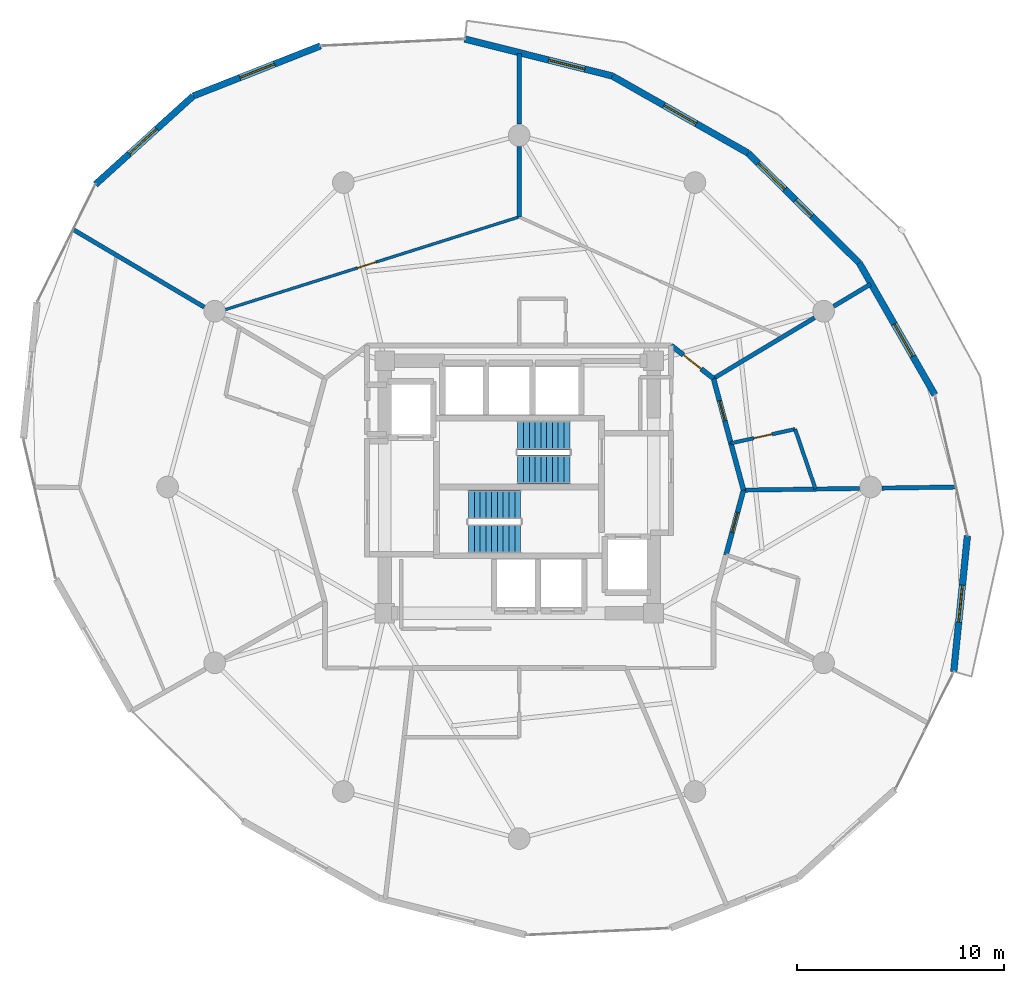
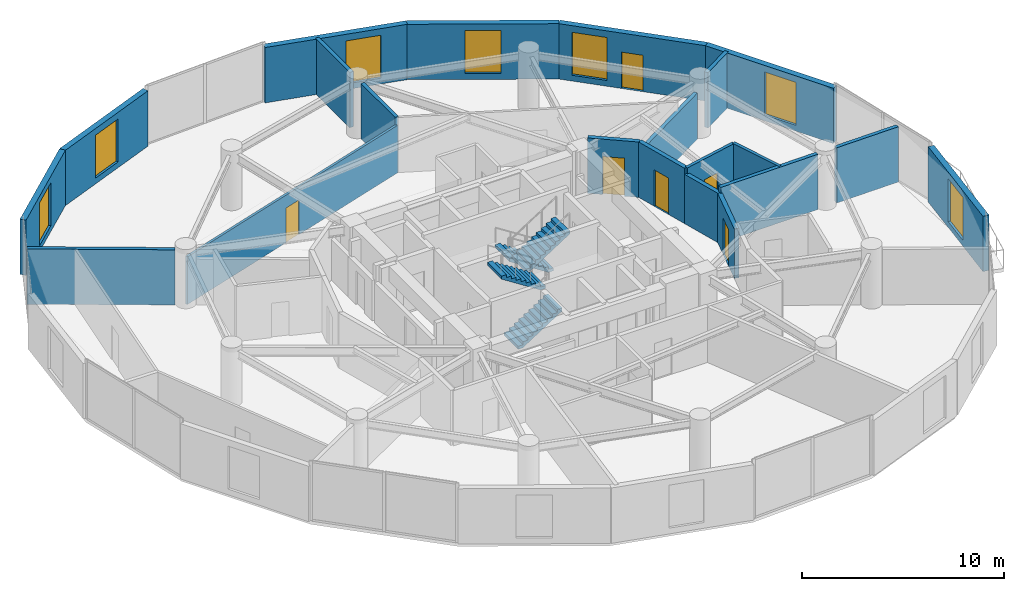
# One storey, part 22 of 25: 21 walls, 7 windows, 6 doors, 4 stair flights, 13 openings, 2 elements without a shape of their own.
"""IFC4 building model written with IfcOpenShell, lengths in metres."""

from ifc_helpers import new_model, si_unit, direction, frame, frame_2d, origin, place, context, subcontext, project, spatial, polyline, rectangle, outline, extrude, material, layer, layer_set, type_object, element, fill, aggregate, save


model = new_model("IFC4")

# Units and contexts
model_context = context("Model", 3, precision=1e-05, world=origin(), true_north=direction((0.0, 1.0)))
body_context = subcontext(model_context, "Body", "Model", "MODEL_VIEW")
ifc_project = project(units=[si_unit("LENGTHUNIT", "METRE"), si_unit("AREAUNIT", "SQUARE_METRE"), si_unit("VOLUMEUNIT", "CUBIC_METRE"), si_unit("PLANEANGLEUNIT", "RADIAN"), si_unit("MASSUNIT", "GRAM", prefix="KILO")], contexts=[model_context])

# Site, building, storey
site_placement = place(None, origin())
site = spatial("IfcSite", under=ifc_project, at=site_placement, CompositionType="ELEMENT")
building_placement = place(site_placement, origin())
building = spatial("IfcBuilding", under=site, at=building_placement, Name="Solvirekh Grand Hotel", CompositionType="ELEMENT")
storey_placement = place(building_placement, frame((0.0, 0.0, 124.199951171875)))
storey = spatial("IfcBuildingStorey", under=building, at=storey_placement, Name="L31", CompositionType="ELEMENT", Elevation=124.199951171875)

# Wall, opening, window
ifc_material_1 = material(Name="Precast concrete C45/55", Category="concrete")
ifc_layer_1 = layer(ifc_material_1, 0.320068359375)
ifc_layer_set_1 = layer_set([ifc_layer_1], Name="Precast concrete C45/55")
wall_type_1 = type_object("IfcWallType", Name="ExtLobbyWall_RC320", PredefinedType="SOLIDWALL", material=ifc_layer_set_1)
wall_1_placement = place(storey_placement, frame((21.676025390625, -2.34912109375, 0.0), z_axis=(0.0, 0.0, 1.0), x_axis=(-0.099792488455, -0.995008270944, 0.0)))
wall_1 = element("IfcWall", 1, at=wall_1_placement, inside=storey, type_object=wall_type_1, Name="L31 exterior structural wall chord 2", PredefinedType="SOLIDWALL", context=body_context, shape_type="SweptSolid", body=[
    extrude(rectangle(XDim=6.61279296875, YDim=0.320068359375, at=frame_2d((3.306396484375, 0.0))), origin(), (0.0, 0.0, 1.0), 3.35009765625),
])
opening_1_placement = place(wall_1_placement, frame((2.406982421875, 0.0, 0.35009765625)))
opening_1 = element("IfcOpeningElement", 2, at=opening_1_placement, cuts=wall_1, Name="Opening W02", PredefinedType="OPENING", context=body_context, shape_type="SweptSolid", body=[
    extrude(rectangle(XDim=1.800048828125, YDim=2.60009765625, at=frame_2d((0.89990234375, 1.300048828125))), frame((0.0, 0.169921875, 0.0), z_axis=(0.0, -1.0, 0.0), x_axis=(1.0, 0.0, 0.0)), (0.0, 0.0, 1.0), 0.340087890625),
])
ifc_material_2 = material(Name="Low-E Tinted Bronze Laminated Glass", Category="aluminium")
window_type = type_object("IfcWindowType", Name="Win_LobbyExt_1800X2600", PartitioningType="SINGLE_PANEL", PredefinedType="WINDOW", material=ifc_material_2)
window_1_placement = place(opening_1_placement, origin())
window_1 = element("IfcWindow", 3, at=window_1_placement, inside=storey, type_object=window_type, Name="L31 panoramic bronze-framed window 2", OverallHeight=2.60009765625, OverallWidth=1.800048828125, PartitioningType="SINGLE_PANEL", PredefinedType="WINDOW", context=body_context, shape_type="SweptSolid", body=[
    extrude(rectangle(XDim=1.800048828125, YDim=2.60009765625, at=frame_2d((0.89990234375, 1.300048828125))), frame((0.0, 0.030029296875, 0.0), z_axis=(0.0, -1.0, 0.0), x_axis=(1.0, 0.0, 0.0)), (0.0, 0.0, 1.0), 0.06005859375),
])
fill(opening_1, window_1)

wall_2_placement = place(storey_placement, frame((16.447998046875, 10.833984375, 0.0), z_axis=(0.0, 0.0, 1.0), x_axis=(0.497401787227, -0.8675202949, 0.0)))
wall_2 = element("IfcWall", 4, at=wall_2_placement, inside=storey, type_object=wall_type_1, Name="L31 exterior structural wall chord 4", PredefinedType="SOLIDWALL", context=body_context, shape_type="SweptSolid", body=[
    extrude(rectangle(XDim=7.34619140625, YDim=0.320068359375, at=frame_2d((3.673095703125, 0.0))), origin(), (0.0, 0.0, 1.0), 3.35009765625),
])
opening_2_placement = place(wall_2_placement, frame((3.403076171875, 0.0, 0.35009765625)))
opening_2 = element("IfcOpeningElement", 5, at=opening_2_placement, cuts=wall_2, Name="Opening W02", PredefinedType="OPENING", context=body_context, shape_type="SweptSolid", body=[
    extrude(rectangle(XDim=1.800048828125, YDim=2.60009765625, at=frame_2d((0.89990234375, 1.300048828125))), frame((0.0, 0.169921875, 0.0), z_axis=(0.0, -1.0, 0.0), x_axis=(1.0, 0.0, 0.0)), (0.0, 0.0, 1.0), 0.340087890625),
])
window_2_placement = place(opening_2_placement, origin())
window_2 = element("IfcWindow", 6, at=window_2_placement, inside=storey, type_object=window_type, Name="L31 panoramic bronze-framed window 4", OverallHeight=2.60009765625, OverallWidth=1.800048828125, PartitioningType="SINGLE_PANEL", PredefinedType="WINDOW", context=body_context, shape_type="SweptSolid", body=[
    extrude(rectangle(XDim=1.800048828125, YDim=2.60009765625, at=frame_2d((0.89990234375, 1.300048828125))), frame((0.0, 0.030029296875, 0.0), z_axis=(0.0, -1.0, 0.0), x_axis=(1.0, 0.0, 0.0)), (0.0, 0.0, 1.0), 0.06005859375),
])
fill(opening_2, window_2)

# Wall, openings, door, window
wall_3_placement = place(storey_placement, frame((11.071044921875, 16.14697265625, 0.0), z_axis=(0.0, 0.0, 1.0), x_axis=(0.711325125038, -0.702863120735, 0.0)))
wall_3 = element("IfcWall", 7, at=wall_3_placement, inside=storey, type_object=wall_type_1, Name="L31 exterior structural wall chord 5", PredefinedType="SOLIDWALL", context=body_context, shape_type="SweptSolid", body=[
    extrude(rectangle(XDim=7.55908203125, YDim=0.320068359375, at=frame_2d((3.779541015625, 0.0))), origin(), (0.0, 0.0, 1.0), 3.35009765625),
])
opening_3_placement = place(wall_3_placement, frame((0.68994140625, 0.0, 0.35009765625)))
opening_3 = element("IfcOpeningElement", 8, at=opening_3_placement, cuts=wall_3, Name="Opening W02", PredefinedType="OPENING", context=body_context, shape_type="SweptSolid", body=[
    extrude(rectangle(XDim=1.800048828125, YDim=2.60009765625, at=frame_2d((0.89990234375, 1.300048828125))), frame((0.0, 0.169921875, 0.0), z_axis=(0.0, -1.0, 0.0), x_axis=(1.0, 0.0, 0.0)), (0.0, 0.0, 1.0), 0.340087890625),
])
opening_4_placement = place(wall_3_placement, frame((3.22998046875, 0.0, 0.0)))
opening_4 = element("IfcOpeningElement", 9, at=opening_4_placement, cuts=wall_3, Name="Opening D03", PredefinedType="OPENING", context=body_context, shape_type="SweptSolid", body=[
    extrude(rectangle(XDim=1.10009765625, YDim=2.199951171875, at=frame_2d((0.550048828125, 1.10009765625))), frame((0.0, 0.169921875, 0.0), z_axis=(0.0, -1.0, 0.0), x_axis=(1.0, 0.0, 0.0)), (0.0, 0.0, 1.0), 0.340087890625),
])
ifc_material_3 = material(Name="Anodized Bronze Aluminium 6063-T6", Category="aluminium")
door_type_1 = type_object("IfcDoorType", Name="Door_ExtBalcony_1100X2200", OperationType="NOTDEFINED", PredefinedType="DOOR", material=ifc_material_3)
door_1_placement = place(opening_4_placement, origin())
door_1 = element("IfcDoor", 10, at=door_1_placement, inside=storey, type_object=door_type_1, Name="L31 Crescent balcony glazed door (5)", OperationType="SINGLE_SWING_RIGHT", OverallHeight=2.199951171875, OverallWidth=1.10009765625, PredefinedType="DOOR", context=body_context, shape_type="SweptSolid", body=[
    extrude(rectangle(XDim=1.10009765625, YDim=2.199951171875, at=frame_2d((0.550048828125, 1.10009765625))), frame((0.0, 0.02490234375, 0.0), z_axis=(0.0, -1.0, 0.0), x_axis=(1.0, 0.0, 0.0)), (0.0, 0.0, 1.0), 0.050048828125),
])
fill(opening_4, door_1)
window_3_placement = place(opening_3_placement, origin())
window_3 = element("IfcWindow", 11, at=window_3_placement, inside=storey, type_object=window_type, Name="L31 exterior side window 5", OverallHeight=2.60009765625, OverallWidth=1.800048828125, PartitioningType="SINGLE_PANEL", PredefinedType="WINDOW", context=body_context, shape_type="SweptSolid", body=[
    extrude(rectangle(XDim=1.800048828125, YDim=2.60009765625, at=frame_2d((0.89990234375, 1.300048828125))), frame((0.0, 0.030029296875, 0.0), z_axis=(0.0, -1.0, 0.0), x_axis=(1.0, 0.0, 0.0)), (0.0, 0.0, 1.0), 0.06005859375),
])
fill(opening_3, window_3)

# Wall, opening, window
wall_4_placement = place(storey_placement, frame((4.4970703125, 19.87890625, 0.0), z_axis=(0.0, 0.0, 1.0), x_axis=(0.869642820433, -0.493681440678, 0.0)))
wall_4 = element("IfcWall", 12, at=wall_4_placement, inside=storey, type_object=wall_type_1, Name="L31 exterior structural wall chord 6", PredefinedType="SOLIDWALL", context=body_context, shape_type="SweptSolid", body=[
    extrude(rectangle(XDim=7.559326171875, YDim=0.320068359375, at=frame_2d((3.77978515625, 0.0))), origin(), (0.0, 0.0, 1.0), 3.35009765625),
])
opening_5_placement = place(wall_4_placement, frame((2.8798828125, 0.0, 0.35009765625)))
opening_5 = element("IfcOpeningElement", 13, at=opening_5_placement, cuts=wall_4, Name="Opening W02", PredefinedType="OPENING", context=body_context, shape_type="SweptSolid", body=[
    extrude(rectangle(XDim=1.800048828125, YDim=2.60009765625, at=frame_2d((0.89990234375, 1.300048828125))), frame((0.0, 0.169921875, 0.0), z_axis=(0.0, -1.0, 0.0), x_axis=(1.0, 0.0, 0.0)), (0.0, 0.0, 1.0), 0.340087890625),
])
window_4_placement = place(opening_5_placement, origin())
window_4 = element("IfcWindow", 14, at=window_4_placement, inside=storey, type_object=window_type, Name="L31 panoramic bronze-framed window 6", OverallHeight=2.60009765625, OverallWidth=1.800048828125, PartitioningType="SINGLE_PANEL", PredefinedType="WINDOW", context=body_context, shape_type="SweptSolid", body=[
    extrude(rectangle(XDim=1.800048828125, YDim=2.60009765625, at=frame_2d((0.89990234375, 1.300048828125))), frame((0.0, 0.030029296875, 0.0), z_axis=(0.0, -1.0, 0.0), x_axis=(1.0, 0.0, 0.0)), (0.0, 0.0, 1.0), 0.06005859375),
])
fill(opening_5, window_4)

wall_5_placement = place(storey_placement, frame((-2.62890625, 21.6650390625, 0.0), z_axis=(0.0, 0.0, 1.0), x_axis=(0.969993748762, -0.243129856994, 0.0)))
wall_5 = element("IfcWall", 15, at=wall_5_placement, inside=storey, type_object=wall_type_1, Name="L31 exterior structural wall chord 7", PredefinedType="SOLIDWALL", context=body_context, shape_type="SweptSolid", body=[
    extrude(rectangle(XDim=7.346435546875, YDim=0.320068359375, at=frame_2d((3.67333984375, 0.0))), origin(), (0.0, 0.0, 1.0), 3.35009765625),
])
opening_6_placement = place(wall_5_placement, frame((4.18310546875, 0.0, 0.35009765625)))
opening_6 = element("IfcOpeningElement", 16, at=opening_6_placement, cuts=wall_5, Name="Opening W02", PredefinedType="OPENING", context=body_context, shape_type="SweptSolid", body=[
    extrude(rectangle(XDim=1.800048828125, YDim=2.60009765625, at=frame_2d((0.89990234375, 1.300048828125))), frame((0.0, 0.169921875, 0.0), z_axis=(0.0, -1.0, 0.0), x_axis=(1.0, 0.0, 0.0)), (0.0, 0.0, 1.0), 0.340087890625),
])
window_5_placement = place(opening_6_placement, origin())
window_5 = element("IfcWindow", 17, at=window_5_placement, inside=storey, type_object=window_type, Name="L31 panoramic bronze-framed window 7", OverallHeight=2.60009765625, OverallWidth=1.800048828125, PartitioningType="SINGLE_PANEL", PredefinedType="WINDOW", context=body_context, shape_type="SweptSolid", body=[
    extrude(rectangle(XDim=1.800048828125, YDim=2.60009765625, at=frame_2d((0.89990234375, 1.300048828125))), frame((0.0, 0.030029296875, 0.0), z_axis=(0.0, -1.0, 0.0), x_axis=(1.0, 0.0, 0.0)), (0.0, 0.0, 1.0), 0.06005859375),
])
fill(opening_6, window_5)

wall_6_placement = place(storey_placement, frame((-15.763916015625, 18.907958984375, 0.0), z_axis=(0.0, 0.0, 1.0), x_axis=(0.930517076524, 0.366248508934, 0.0)))
wall_6 = element("IfcWall", 18, at=wall_6_placement, inside=storey, type_object=wall_type_1, Name="L31 exterior structural wall chord 9", PredefinedType="SOLIDWALL", context=body_context, shape_type="SweptSolid", body=[
    extrude(rectangle(XDim=6.61328125, YDim=0.320068359375, at=frame_2d((3.306640625, 0.0))), origin(), (0.0, 0.0, 1.0), 3.35009765625),
])
opening_7_placement = place(wall_6_placement, frame((2.427001953125, 0.0, 0.35009765625)))
opening_7 = element("IfcOpeningElement", 19, at=opening_7_placement, cuts=wall_6, Name="Opening W02", PredefinedType="OPENING", context=body_context, shape_type="SweptSolid", body=[
    extrude(rectangle(XDim=1.800048828125, YDim=2.60009765625, at=frame_2d((0.89990234375, 1.300048828125))), frame((0.0, 0.169921875, 0.0), z_axis=(0.0, -1.0, 0.0), x_axis=(1.0, 0.0, 0.0)), (0.0, 0.0, 1.0), 0.340087890625),
])
window_6_placement = place(opening_7_placement, origin())
window_6 = element("IfcWindow", 20, at=window_6_placement, inside=storey, type_object=window_type, Name="L31 panoramic bronze-framed window 9", OverallHeight=2.60009765625, OverallWidth=1.800048828125, PartitioningType="SINGLE_PANEL", PredefinedType="WINDOW", context=body_context, shape_type="SweptSolid", body=[
    extrude(rectangle(XDim=1.800048828125, YDim=2.60009765625, at=frame_2d((0.89990234375, 1.300048828125))), frame((0.0, 0.030029296875, 0.0), z_axis=(0.0, -1.0, 0.0), x_axis=(1.0, 0.0, 0.0)), (0.0, 0.0, 1.0), 0.06005859375),
])
fill(opening_7, window_6)

wall_7_placement = place(storey_placement, frame((-20.486083984375, 14.635009765625, 0.0), z_axis=(0.0, 0.0, 1.0), x_axis=(0.741495816543, 0.670957490494, 0.0)))
wall_7 = element("IfcWall", 21, at=wall_7_placement, inside=storey, type_object=wall_type_1, Name="L31 exterior structural wall chord 10", PredefinedType="SOLIDWALL", context=body_context, shape_type="SweptSolid", body=[
    extrude(rectangle(XDim=6.368408203125, YDim=0.320068359375, at=frame_2d((3.18408203125, 0.0))), origin(), (0.0, 0.0, 1.0), 3.35009765625),
])
opening_8_placement = place(wall_7_placement, frame((2.194091796875, 0.0, 0.35009765625)))
opening_8 = element("IfcOpeningElement", 22, at=opening_8_placement, cuts=wall_7, Name="Opening W02", PredefinedType="OPENING", context=body_context, shape_type="SweptSolid", body=[
    extrude(rectangle(XDim=1.800048828125, YDim=2.60009765625, at=frame_2d((0.89990234375, 1.300048828125))), frame((0.0, 0.169921875, 0.0), z_axis=(0.0, -1.0, 0.0), x_axis=(1.0, 0.0, 0.0)), (0.0, 0.0, 1.0), 0.340087890625),
])
window_7_placement = place(opening_8_placement, origin())
window_7 = element("IfcWindow", 23, at=window_7_placement, inside=storey, type_object=window_type, Name="L31 panoramic bronze-framed window 10", OverallHeight=2.60009765625, OverallWidth=1.800048828125, PartitioningType="SINGLE_PANEL", PredefinedType="WINDOW", context=body_context, shape_type="SweptSolid", body=[
    extrude(rectangle(XDim=1.800048828125, YDim=2.60009765625, at=frame_2d((0.89990234375, 1.300048828125))), frame((0.0, 0.030029296875, 0.0), z_axis=(0.0, -1.0, 0.0), x_axis=(1.0, 0.0, 0.0)), (0.0, 0.0, 1.0), 0.06005859375),
])
fill(opening_8, window_7)

# Wall, opening, door
ifc_material_4 = material(Name="Acoustic Gypsum Partition Assembly")
ifc_layer_2 = layer(ifc_material_4, 0.239990234375)
ifc_layer_set_2 = layer_set([ifc_layer_2], Name="Acoustic Gypsum Partition Assembly")
wall_type_2 = type_object("IfcWallType", Name="Part_Corridor_240", PredefinedType="PARTITIONING", material=ifc_layer_set_2)
wall_8_placement = place(storey_placement, frame((7.35009765625, 6.85009765625, 0.0), z_axis=(0.0, 0.0, 1.0), x_axis=(0.7876993483, -0.6160598483, 0.0)))
wall_8 = element("IfcWall", 24, at=wall_8_placement, inside=storey, type_object=wall_type_2, Name="L31 Panorama Suite 3301 Inner Suite Lounge entrance wall", PredefinedType="PARTITIONING", context=body_context, shape_type="SweptSolid", body=[
    extrude(rectangle(XDim=2.597412109375, YDim=0.239990234375, at=frame_2d((1.298828125, 0.0))), origin(), (0.0, 0.0, 1.0), 3.35009765625),
])
opening_9_placement = place(wall_8_placement, frame((0.7490234375, 0.0, 0.0)))
opening_9 = element("IfcOpeningElement", 25, at=opening_9_placement, cuts=wall_8, Name="Opening D08", PredefinedType="OPENING", context=body_context, shape_type="SweptSolid", body=[
    extrude(rectangle(XDim=1.10009765625, YDim=2.300048828125, at=frame_2d((0.550048828125, 1.14990234375))), frame((0.0, 0.1298828125, 0.0), z_axis=(0.0, -1.0, 0.0), x_axis=(1.0, 0.0, 0.0)), (0.0, 0.0, 1.0), 0.260009765625),
])
ifc_material_5 = material(Name="Fire-Rated Steel Door Assembly", Category="steel")
door_type_2 = type_object("IfcDoorType", Name="Door_SuiteEntry_1100X2300", OperationType="NOTDEFINED", PredefinedType="DOOR", material=ifc_material_5)
door_2_placement = place(opening_9_placement, origin())
door_2 = element("IfcDoor", 26, at=door_2_placement, inside=storey, type_object=door_type_2, Name="L31 Panorama Suite 3301 Inner Suite Lounge entrance door", OperationType="SINGLE_SWING_LEFT", OverallHeight=2.300048828125, OverallWidth=1.10009765625, PredefinedType="DOOR", context=body_context, shape_type="SweptSolid", body=[
    extrude(rectangle(XDim=1.10009765625, YDim=2.300048828125, at=frame_2d((0.550048828125, 1.14990234375))), frame((0.0, 0.02490234375, 0.0), z_axis=(0.0, -1.0, 0.0), x_axis=(1.0, 0.0, 0.0)), (0.0, 0.0, 1.0), 0.050048828125),
])
fill(opening_9, door_2)

wall_9_placement = place(storey_placement, frame((10.007080078125, -3.281982421875, 0.0), z_axis=(0.0, 0.0, 1.0), x_axis=(0.259905989708, 0.965633924691, 0.0)))
wall_9 = element("IfcWall", 27, at=wall_9_placement, inside=storey, type_object=wall_type_2, Name="L31 Deluxe Guestroom 3303 entrance wall", PredefinedType="PARTITIONING", context=body_context, shape_type="SweptSolid", body=[
    extrude(rectangle(XDim=3.24365234375, YDim=0.239990234375, at=frame_2d((1.621826171875, 0.0))), origin(), (0.0, 0.0, 1.0), 2.985107421875),
])
opening_10_placement = place(wall_9_placement, frame((1.1220703125, 0.0, 0.0)))
opening_10 = element("IfcOpeningElement", 28, at=opening_10_placement, cuts=wall_9, Name="Opening D07", PredefinedType="OPENING", context=body_context, shape_type="SweptSolid", body=[
    extrude(rectangle(XDim=1.0, YDim=2.199951171875, at=frame_2d((0.5, 1.10009765625))), frame((0.0, 0.1298828125, 0.0), z_axis=(0.0, -1.0, 0.0), x_axis=(1.0, 0.0, 0.0)), (0.0, 0.0, 1.0), 0.260009765625),
])
door_type_3 = type_object("IfcDoorType", Name="Door_GuestEntry_1000X2200", OperationType="NOTDEFINED", PredefinedType="DOOR", material=ifc_material_5)
door_3_placement = place(opening_10_placement, origin())
door_3 = element("IfcDoor", 29, at=door_3_placement, inside=storey, type_object=door_type_3, Name="L31 Deluxe Guestroom 3303 entrance door", OperationType="SINGLE_SWING_LEFT", OverallHeight=2.199951171875, OverallWidth=1.0, PredefinedType="DOOR", context=body_context, shape_type="SweptSolid", body=[
    extrude(rectangle(XDim=1.0, YDim=2.199951171875, at=frame_2d((0.5, 1.10009765625))), frame((0.0, 0.02490234375, 0.0), z_axis=(0.0, -1.0, 0.0), x_axis=(1.0, 0.0, 0.0)), (0.0, 0.0, 1.0), 0.050048828125),
])
fill(opening_10, door_3)

# Wall
wall_10_placement = place(storey_placement, frame((10.85009765625, -0.14990234375, 0.0), z_axis=(0.0, 0.0, 1.0), x_axis=(-0.260178493416, 0.965560537493, 0.0)))
element("IfcWall", 30, at=wall_10_placement, inside=storey, type_object=wall_type_2, Name="L31 En-suite Bathroom 3304 corridor backing wall", PredefinedType="PARTITIONING", context=body_context, shape_type="SweptSolid", body=[
    extrude(rectangle(XDim=2.3486328125, YDim=0.239990234375, at=frame_2d((1.17431640625, 0.0))), origin(), (0.0, 0.0, 1.0), 2.985107421875),
])

# Wall, opening, door
wall_11_placement = place(storey_placement, frame((10.239013671875, 2.117919921875, 0.0), z_axis=(0.0, 0.0, 1.0), x_axis=(-0.259905989708, 0.965633924691, 0.0)))
wall_11 = element("IfcWall", 31, at=wall_11_placement, inside=storey, type_object=wall_type_2, Name="L31 Deluxe Guestroom 3304 entrance wall", PredefinedType="PARTITIONING", context=body_context, shape_type="SweptSolid", body=[
    extrude(rectangle(XDim=3.24365234375, YDim=0.239990234375, at=frame_2d((1.621826171875, 0.0))), origin(), (0.0, 0.0, 1.0), 3.35009765625),
])
opening_11_placement = place(wall_11_placement, frame((1.1220703125, 0.0, 0.0)))
opening_11 = element("IfcOpeningElement", 32, at=opening_11_placement, cuts=wall_11, Name="Opening D07", PredefinedType="OPENING", context=body_context, shape_type="SweptSolid", body=[
    extrude(rectangle(XDim=1.0, YDim=2.199951171875, at=frame_2d((0.5, 1.10009765625))), frame((0.0, 0.1298828125, 0.0), z_axis=(0.0, -1.0, 0.0), x_axis=(1.0, 0.0, 0.0)), (0.0, 0.0, 1.0), 0.260009765625),
])
door_4_placement = place(opening_11_placement, origin())
door_4 = element("IfcDoor", 33, at=door_4_placement, inside=storey, type_object=door_type_3, Name="L31 Deluxe Guestroom 3304 entrance door", OperationType="SINGLE_SWING_LEFT", OverallHeight=2.199951171875, OverallWidth=1.0, PredefinedType="DOOR", context=body_context, shape_type="SweptSolid", body=[
    extrude(rectangle(XDim=1.0, YDim=2.199951171875, at=frame_2d((0.5, 1.10009765625))), frame((0.0, 0.02490234375, 0.0), z_axis=(0.0, -1.0, 0.0), x_axis=(1.0, 0.0, 0.0)), (0.0, 0.0, 1.0), 0.050048828125),
])
fill(opening_11, door_4)

ifc_layer_3 = layer(ifc_material_4, 0.135009765625)
ifc_layer_set_3 = layer_set([ifc_layer_3], Name="Acoustic Gypsum Partition Assembly")
wall_type_3 = type_object("IfcWallType", Name="Part_RoomInt_135", PredefinedType="PARTITIONING", material=ifc_layer_set_3)
wall_12_placement = place(storey_placement, frame((-14.737060546875, 8.410888671875, 0.0), z_axis=(0.0, 0.0, 1.0), x_axis=(0.953650690157, 0.300915870573, 0.0)))
wall_12 = element("IfcWall", 34, at=wall_12_placement, inside=storey, type_object=wall_type_3, Name="L31 Panorama Suite 3301 Observatory Library bedroom screen wall", PredefinedType="PARTITIONING", context=body_context, shape_type="SweptSolid", body=[
    extrude(rectangle(XDim=15.453369140625, YDim=0.135009765625, at=frame_2d((7.7265625, 0.0))), origin(), (0.0, 0.0, 1.0), 2.879150390625),
])
opening_12_placement = place(wall_12_placement, frame((7.251953125, 0.0, 0.0)))
opening_12 = element("IfcOpeningElement", 35, at=opening_12_placement, cuts=wall_12, Name="Opening D10", PredefinedType="OPENING", context=body_context, shape_type="SweptSolid", body=[
    extrude(rectangle(XDim=0.949951171875, YDim=2.10009765625, at=frame_2d((0.47509765625, 1.050048828125))), frame((0.0, 0.07763671875, 0.0), z_axis=(0.0, -1.0, 0.0), x_axis=(1.0, 0.0, 0.0)), (0.0, 0.0, 1.0), 0.155029296875),
])
door_type_4 = type_object("IfcDoorType", Name="Door_RoomInt_950X2100", OperationType="NOTDEFINED", PredefinedType="DOOR", material=ifc_material_3)
door_5_placement = place(opening_12_placement, origin())
door_5 = element("IfcDoor", 36, at=door_5_placement, inside=storey, type_object=door_type_4, Name="L31 Panorama Suite 3301 Observatory Library master bedroom door", OperationType="SINGLE_SWING_LEFT", OverallHeight=2.10009765625, OverallWidth=0.949951171875, PredefinedType="DOOR", context=body_context, shape_type="SweptSolid", body=[
    extrude(rectangle(XDim=0.949951171875, YDim=2.10009765625, at=frame_2d((0.47509765625, 1.050048828125))), frame((0.0, 0.02490234375, 0.0), z_axis=(0.0, -1.0, 0.0), x_axis=(1.0, 0.0, 0.0)), (0.0, 0.0, 1.0), 0.050048828125),
])
fill(opening_12, door_5)

# Walls
ifc_layer_4 = layer(ifc_material_4, 0.2099609375)
ifc_layer_set_4 = layer_set([ifc_layer_4], Name="Acoustic Gypsum Partition Assembly")
wall_type_4 = type_object("IfcWallType", Name="Part_SuiteDemise_210", PredefinedType="PARTITIONING", material=ifc_layer_set_4)
wall_13_placement = place(storey_placement, frame((10.85009765625, -0.14990234375, 0.0), z_axis=(0.0, 0.0, 1.0), x_axis=(0.999893703948, 0.014580151076, 0.0)))
element("IfcWall", 37, at=wall_13_placement, inside=storey, type_object=wall_type_4, Name="L31 suite radial wall 1 (A)", PredefinedType="PARTITIONING", context=body_context, shape_type="SweptSolid", body=[
    extrude(rectangle(XDim=5.609375, YDim=0.2099609375, at=frame_2d((2.8046875, 0.0))), origin(), (0.0, 0.0, 1.0), 3.35009765625),
])
wall_14_placement = place(storey_placement, frame((17.54296875, -0.052001953125, 0.0), z_axis=(0.0, 0.0, 1.0), x_axis=(0.999892731853, 0.014646664733, 0.0)))
element("IfcWall", 38, at=wall_14_placement, inside=storey, type_object=wall_type_4, Name="L31 suite radial wall 1 (B)", PredefinedType="PARTITIONING", context=body_context, shape_type="SweptSolid", body=[
    extrude(rectangle(XDim=3.550537109375, YDim=0.2099609375, at=frame_2d((1.775390625, 0.0))), origin(), (0.0, 0.0, 1.0), 3.35009765625),
])
wall_15_placement = place(storey_placement, frame((9.39599609375, 5.25, 0.0), z_axis=(0.0, 0.0, 1.0), x_axis=(0.857379456535, 0.514684823471, 0.0)))
element("IfcWall", 39, at=wall_15_placement, inside=storey, type_object=wall_type_4, Name="L31 suite radial wall 2 (A)", PredefinedType="PARTITIONING", context=body_context, shape_type="SweptSolid", body=[
    extrude(rectangle(XDim=5.696533203125, YDim=0.2099609375, at=frame_2d((2.84814453125, 0.0))), origin(), (0.0, 0.0, 1.0), 2.791015625),
])
wall_16_placement = place(storey_placement, frame((15.2109375, 8.740966796875, 0.0), z_axis=(0.0, 0.0, 1.0), x_axis=(0.857347553721, 0.51473796453, 0.0)))
element("IfcWall", 40, at=wall_16_placement, inside=storey, type_object=wall_type_4, Name="L31 suite radial wall 2 (B)", PredefinedType="PARTITIONING", context=body_context, shape_type="SweptSolid", body=[
    extrude(rectangle(XDim=2.074951171875, YDim=0.2099609375, at=frame_2d((1.03759765625, 0.0))), origin(), (0.0, 0.0, 1.0), 3.35009765625),
])
wall_17_placement = place(storey_placement, frame((-15.22802734375, 8.700927734375, 0.0), z_axis=(0.0, 0.0, 1.0), x_axis=(-0.860570126037, 0.509331972462, 0.0)))
element("IfcWall", 41, at=wall_17_placement, inside=storey, type_object=wall_type_4, Name="L31 suite radial wall 6 (B)", PredefinedType="PARTITIONING", context=body_context, shape_type="SweptSolid", body=[
    extrude(rectangle(XDim=7.32763671875, YDim=0.2099609375, at=frame_2d((3.663818359375, 0.0))), origin(), (0.0, 0.0, 1.0), 3.35009765625),
])
wall_18_placement = place(storey_placement, frame((0.0, 13.06103515625, 0.0), z_axis=(0.0, 0.0, 1.0), x_axis=(0.0, 1.0, 0.0)))
element("IfcWall", 42, at=wall_18_placement, inside=storey, type_object=wall_type_4, Name="L31 Panorama Suite 3301 North Sitting Room dividing partition 1 (A)", PredefinedType="PARTITIONING", context=body_context, shape_type="SweptSolid", body=[
    extrude(rectangle(XDim=3.39404296875, YDim=0.2099609375, at=frame_2d((1.697021484375, 0.0))), origin(), (0.0, 0.0, 1.0), 3.35009765625),
])
wall_19_placement = place(storey_placement, frame((0.0, 17.544921875, 0.0), z_axis=(0.0, 0.0, 1.0), x_axis=(0.0, 1.0, 0.0)))
element("IfcWall", 43, at=wall_19_placement, inside=storey, type_object=wall_type_4, Name="L31 Panorama Suite 3301 North Sitting Room dividing partition 1 (B)", PredefinedType="PARTITIONING", context=body_context, shape_type="SweptSolid", body=[
    extrude(rectangle(XDim=3.421142578125, YDim=0.2099609375, at=frame_2d((1.71044921875, 0.0))), origin(), (0.0, 0.0, 1.0), 3.35009765625),
])
ifc_layer_5 = layer(ifc_material_4, 0.175048828125)
ifc_layer_set_5 = layer_set([ifc_layer_5], Name="Acoustic Gypsum Partition Assembly")
wall_type_5 = type_object("IfcWallType", Name="Plumb_Ensuite_175", PredefinedType="PLUMBINGWALL", material=ifc_layer_set_5)
wall_20_placement = place(storey_placement, frame((14.3330078125, -0.09912109375, 0.0), z_axis=(0.0, 0.0, 1.0), x_axis=(-0.322964477687, 0.946411087294, 0.0)))
element("IfcWall", 44, at=wall_20_placement, inside=storey, type_object=wall_type_5, Name="L31 En-suite Bathroom 3304 outer plumbing wall", PredefinedType="PLUMBINGWALL", context=body_context, shape_type="SweptSolid", body=[
    extrude(rectangle(XDim=3.062255859375, YDim=0.175048828125, at=frame_2d((1.53125, 0.0))), origin(), (0.0, 0.0, 1.0), 3.35009765625),
])

# Wall, opening, door
wall_21_placement = place(storey_placement, frame((10.239013671875, 2.117919921875, 0.0), z_axis=(0.0, 0.0, 1.0), x_axis=(0.976772579837, 0.214278620675, 0.0)))
wall_21 = element("IfcWall", 45, at=wall_21_placement, inside=storey, type_object=wall_type_5, Name="L31 En-suite Bathroom 3304 entry plumbing wall", PredefinedType="PLUMBINGWALL", context=body_context, shape_type="SweptSolid", body=[
    extrude(rectangle(XDim=3.1787109375, YDim=0.175048828125, at=frame_2d((1.58935546875, 0.0))), origin(), (0.0, 0.0, 1.0), 3.35009765625),
])
opening_13_placement = place(wall_21_placement, frame((1.138916015625, 0.0, 0.0)))
opening_13 = element("IfcOpeningElement", 46, at=opening_13_placement, cuts=wall_21, Name="Opening D09", PredefinedType="OPENING", context=body_context, shape_type="SweptSolid", body=[
    extrude(rectangle(XDim=0.89990234375, YDim=2.10009765625, at=frame_2d((0.449951171875, 1.050048828125))), frame((0.0, 0.09765625, 0.0), z_axis=(0.0, -1.0, 0.0), x_axis=(1.0, 0.0, 0.0)), (0.0, 0.0, 1.0), 0.195068359375),
])
door_type_5 = type_object("IfcDoorType", Name="Door_Ensuite_900X2100", OperationType="NOTDEFINED", PredefinedType="DOOR", material=ifc_material_3)
door_6_placement = place(opening_13_placement, origin())
door_6 = element("IfcDoor", 47, at=door_6_placement, inside=storey, type_object=door_type_5, Name="L31 En-suite Bathroom 3304 door", OperationType="SINGLE_SWING_RIGHT", OverallHeight=2.10009765625, OverallWidth=0.89990234375, PredefinedType="DOOR", context=body_context, shape_type="SweptSolid", body=[
    extrude(rectangle(XDim=0.89990234375, YDim=2.10009765625, at=frame_2d((0.449951171875, 1.050048828125))), frame((0.0, 0.02490234375, 0.0), z_axis=(0.0, -1.0, 0.0), x_axis=(1.0, 0.0, 0.0)), (0.0, 0.0, 1.0), 0.050048828125),
])
fill(opening_13, door_6)

# Stair, stair flights
ifc_material_6 = material(Name="Concrete C40/50", Category="concrete")
stair_type = type_object("IfcStairType", Name="Stair_Core_1450", PredefinedType="HALF_TURN_STAIR", material=ifc_material_6)
stair_1_placement = place(storey_placement, origin())
stair_1 = element("IfcStair", 48, at=stair_1_placement, inside=storey, type_object=stair_type, Name="L31 Enclosed exit stair ST-1", PredefinedType="HALF_TURN_STAIR")
stair_flight_type = type_object("IfcStairFlightType", Name="Flight_Core_1450", PredefinedType="STRAIGHT", material=ifc_material_6)
stair_flight_1_placement = place(storey_placement, frame((-2.449951171875, -2.5, 0.0), z_axis=(0.0, 0.0, 1.0), x_axis=(1.0, 0.0, 0.0)))
stair_flight_1 = element("IfcStairFlight", 49, at=stair_flight_1_placement, type_object=stair_flight_type, Name="ST-1 flight 1", NumberOfRisers=10, NumberOfTreads=9, PredefinedType="STRAIGHT", RiserHeight=0.18, TreadLength=0.28, context=body_context, shape_type="SweptSolid", body=[
    extrude(outline(polyline([(0.0, 0.0), (0.0, 0.179931640625), (0.280029296875, 0.179931640625), (0.280029296875, 0.360107421875), (0.56005859375, 0.360107421875), (0.56005859375, 0.5400390625), (0.840087890625, 0.5400390625), (0.840087890625, 0.719970703125), (1.1201171875, 0.719970703125), (1.1201171875, 0.89990234375), (1.39990234375, 0.89990234375), (1.39990234375, 1.080078125), (1.679931640625, 1.080078125), (1.679931640625, 1.260009765625), (1.9599609375, 1.260009765625), (1.9599609375, 1.43994140625), (2.239990234375, 1.43994140625), (2.239990234375, 1.6201171875), (2.52001953125, 1.6201171875), (2.52001953125, 1.800048828125), (2.52001953125, 1.44189453125), (0.277099609375, 0.0), (0.0, 0.0)])), frame((0.0, 0.699951171875, 0.0), z_axis=(0.0, -1.0, 0.0), x_axis=(1.0, 0.0, 0.0)), (0.0, 0.0, 1.0), 1.39990234375),
])
stair_flight_2_placement = place(storey_placement, frame((0.070068359375, -0.85009765625, 1.800048828125), z_axis=(0.0, 0.0, 1.0), x_axis=(-1.0, 0.0, 0.0)))
stair_flight_2 = element("IfcStairFlight", 50, at=stair_flight_2_placement, type_object=stair_flight_type, Name="ST-1 flight 2", NumberOfRisers=10, NumberOfTreads=9, PredefinedType="STRAIGHT", RiserHeight=0.18, TreadLength=0.28, context=body_context, shape_type="SweptSolid", body=[
    extrude(outline(polyline([(0.0, 0.0), (0.0, 0.179931640625), (0.280029296875, 0.179931640625), (0.280029296875, 0.360107421875), (0.56005859375, 0.360107421875), (0.56005859375, 0.5400390625), (0.840087890625, 0.5400390625), (0.840087890625, 0.719970703125), (1.1201171875, 0.719970703125), (1.1201171875, 0.89990234375), (1.39990234375, 0.89990234375), (1.39990234375, 1.080078125), (1.679931640625, 1.080078125), (1.679931640625, 1.260009765625), (1.9599609375, 1.260009765625), (1.9599609375, 1.43994140625), (2.239990234375, 1.43994140625), (2.239990234375, 1.6201171875), (2.52001953125, 1.6201171875), (2.52001953125, 1.800048828125), (2.52001953125, 1.44189453125), (0.277099609375, 0.0), (0.0, 0.0)])), frame((0.0, 0.699951171875, 0.0), z_axis=(0.0, -1.0, 0.0), x_axis=(1.0, 0.0, 0.0)), (0.0, 0.0, 1.0), 1.39990234375),
])
aggregate(stair_1, [stair_flight_1, stair_flight_2])

stair_2_placement = place(storey_placement, origin())
stair_2 = element("IfcStair", 51, at=stair_2_placement, inside=storey, type_object=stair_type, Name="L31 Enclosed exit stair ST-2", PredefinedType="HALF_TURN_STAIR")
stair_flight_3_placement = place(storey_placement, frame((2.449951171875, 2.5, 0.0), z_axis=(0.0, 0.0, 1.0), x_axis=(-1.0, 0.0, 0.0)))
stair_flight_3 = element("IfcStairFlight", 52, at=stair_flight_3_placement, type_object=stair_flight_type, Name="ST-2 flight 1", NumberOfRisers=10, NumberOfTreads=9, PredefinedType="STRAIGHT", RiserHeight=0.18, TreadLength=0.28, context=body_context, shape_type="SweptSolid", body=[
    extrude(outline(polyline([(0.0, 0.0), (0.0, 0.179931640625), (0.280029296875, 0.179931640625), (0.280029296875, 0.360107421875), (0.56005859375, 0.360107421875), (0.56005859375, 0.5400390625), (0.840087890625, 0.5400390625), (0.840087890625, 0.719970703125), (1.1201171875, 0.719970703125), (1.1201171875, 0.89990234375), (1.39990234375, 0.89990234375), (1.39990234375, 1.080078125), (1.679931640625, 1.080078125), (1.679931640625, 1.260009765625), (1.9599609375, 1.260009765625), (1.9599609375, 1.43994140625), (2.239990234375, 1.43994140625), (2.239990234375, 1.6201171875), (2.52001953125, 1.6201171875), (2.52001953125, 1.800048828125), (2.52001953125, 1.44189453125), (0.277099609375, 0.0), (0.0, 0.0)])), frame((0.0, 0.699951171875, 0.0), z_axis=(0.0, -1.0, 0.0), x_axis=(1.0, 0.0, 0.0)), (0.0, 0.0, 1.0), 1.39990234375),
])
stair_flight_4_placement = place(storey_placement, frame((-0.070068359375, 0.85009765625, 1.800048828125), z_axis=(0.0, 0.0, 1.0), x_axis=(1.0, 0.0, 0.0)))
stair_flight_4 = element("IfcStairFlight", 53, at=stair_flight_4_placement, type_object=stair_flight_type, Name="ST-2 flight 2", NumberOfRisers=10, NumberOfTreads=9, PredefinedType="STRAIGHT", RiserHeight=0.18, TreadLength=0.28, context=body_context, shape_type="SweptSolid", body=[
    extrude(outline(polyline([(0.0, 0.0), (0.0, 0.179931640625), (0.280029296875, 0.179931640625), (0.280029296875, 0.360107421875), (0.56005859375, 0.360107421875), (0.56005859375, 0.5400390625), (0.840087890625, 0.5400390625), (0.840087890625, 0.719970703125), (1.1201171875, 0.719970703125), (1.1201171875, 0.89990234375), (1.39990234375, 0.89990234375), (1.39990234375, 1.080078125), (1.679931640625, 1.080078125), (1.679931640625, 1.260009765625), (1.9599609375, 1.260009765625), (1.9599609375, 1.43994140625), (2.239990234375, 1.43994140625), (2.239990234375, 1.6201171875), (2.52001953125, 1.6201171875), (2.52001953125, 1.800048828125), (2.52001953125, 1.44189453125), (0.277099609375, 0.0), (0.0, 0.0)])), frame((0.0, 0.699951171875, 0.0), z_axis=(0.0, -1.0, 0.0), x_axis=(1.0, 0.0, 0.0)), (0.0, 0.0, 1.0), 1.39990234375),
])
aggregate(stair_2, [stair_flight_3, stair_flight_4])

save(model, "model.ifc")
